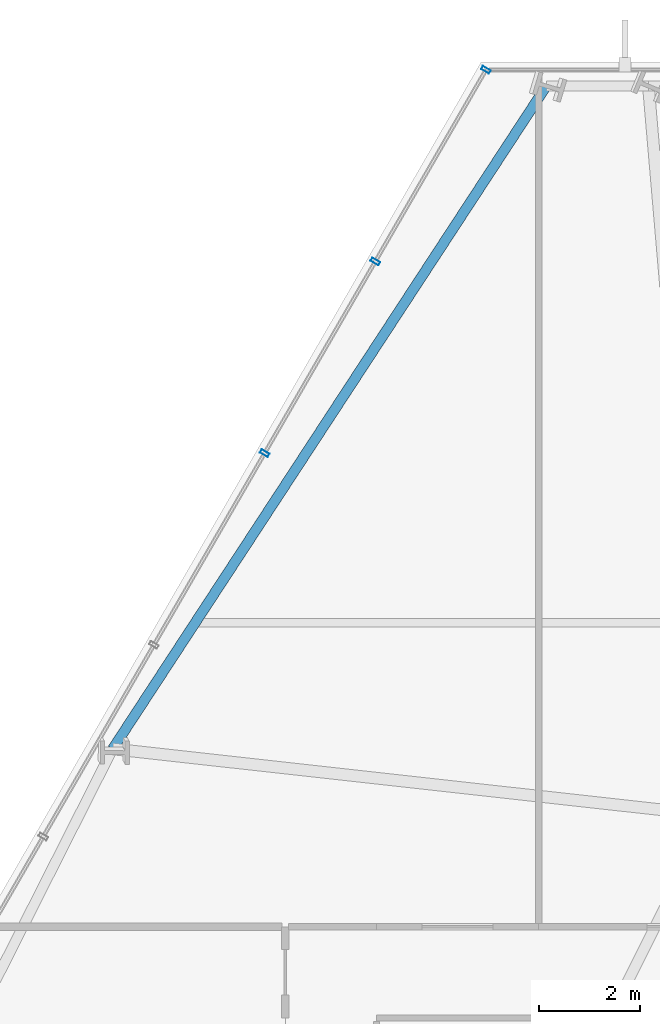
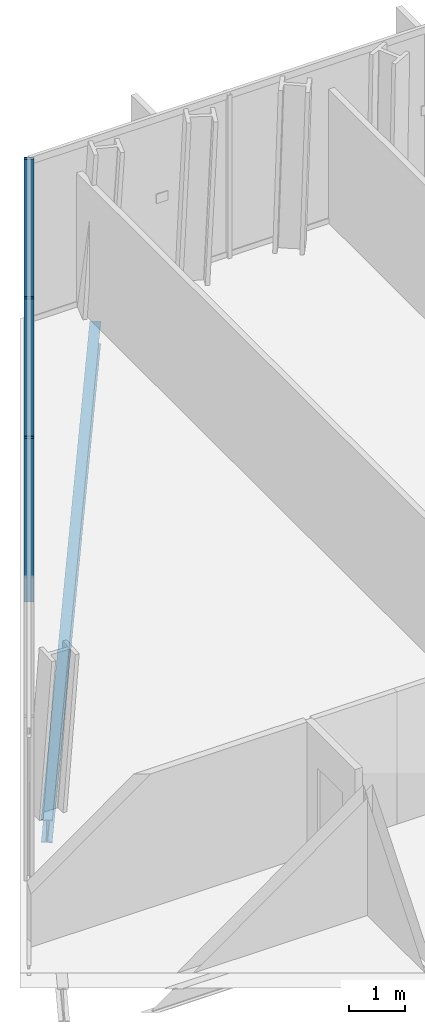
# One storey, part 20 of 33: 3 members, 1 beam, 1 element without a shape of its own.
"""IFC4 building model written with IfcOpenShell, lengths in metres."""

from ifc_helpers import new_model, si_unit, direction, frame, origin, origin_2d, place, context, subcontext, project, spatial, hollow_rectangle, i_section, extrude, material, layer, layer_set, material_profile, profile_set, type_object, element, aggregate, save


model = new_model("IFC4")

# Units and contexts
model_context = context("Model", 3, precision=1e-05, world=origin(), true_north=direction((0.0, 1.0)))
body_context = subcontext(model_context, "Body", "Model", "MODEL_VIEW")
ifc_project = project(units=[si_unit("LENGTHUNIT", "METRE"), si_unit("AREAUNIT", "SQUARE_METRE"), si_unit("VOLUMEUNIT", "CUBIC_METRE"), si_unit("PLANEANGLEUNIT", "RADIAN"), si_unit("MASSUNIT", "GRAM", prefix="KILO")], contexts=[model_context])

# Site, building, storey
site_placement = place(None, origin())
site = spatial("IfcSite", under=ifc_project, at=site_placement, CompositionType="ELEMENT")
building_placement = place(site_placement, origin())
building = spatial("IfcBuilding", under=site, at=building_placement, Name="Ndaravel Arena Tower", CompositionType="ELEMENT")
storey_placement = place(building_placement, frame((0.0, 0.0, 43.60009765625)))
storey = spatial("IfcBuildingStorey", under=building, at=storey_placement, Name="L08", CompositionType="ELEMENT", Elevation=43.60009765625)

# Beam
ifc_material_1 = material(Name="Steel S355", Category="steel")
ifc_material_profile_1 = material_profile(ifc_material_1, i_section(OverallWidth=0.199951171875, OverallDepth=0.5, WebThickness=0.01025390625, FlangeThickness=0.01611328125, FilletRadius=0.02099609375, at=origin_2d()), Name="IPE 500")
ifc_profile_set_1 = profile_set([ifc_material_profile_1], Name="Steel S355")
beam_type = type_object("IfcBeamType", Name="BM-SPAN-IPE500", PredefinedType="SPANDREL", material=ifc_profile_set_1)
beam_placement = place(storey_placement, frame((34.95263671875, 45.590087890625, -0.47021484375), z_axis=(-0.547517816718, -0.83679402506, 0.0), x_axis=(0.83679402506, -0.547517816718, 0.0)))
element("IfcBeam", 1, at=beam_placement, inside=storey, type_object=beam_type, Name="L08 Perimeter Spandrel Beam SP-18", PredefinedType="SPANDREL", context=body_context, shape_type="SweptSolid", body=[
    extrude(i_section(OverallWidth=0.199951171875, OverallDepth=0.5, WebThickness=0.01025390625, FlangeThickness=0.01611328125, FilletRadius=0.02099609375, at=origin_2d()), origin(), (0.0, 0.0, 1.0), 15.631103515625),
])

# Curtain wall, members
ifc_material_2 = material(Name="Aluminium", Category="aluminium")
ifc_layer = layer(ifc_material_2, 0.179931640625)
ifc_layer_set = layer_set([ifc_layer], Name="Aluminium")
curtain_wall_type = type_object("IfcCurtainWallType", Name="CW-SYS-03", PredefinedType="NOTDEFINED", material=ifc_layer_set)
curtain_wall_placement = place(storey_placement, origin())
curtain_wall = element("IfcCurtainWall", 2, at=curtain_wall_placement, inside=storey, type_object=curtain_wall_type, Name="L08 Faceted Crystal Curtain Wall CW-L08-E05", PredefinedType="NOTDEFINED")
ifc_material_3 = material(Name="Aluminium", Category="aluminium")
ifc_material_profile_2 = material_profile(ifc_material_3, hollow_rectangle(XDim=0.074951171875, YDim=0.179931640625, WallThickness=0.00390625, at=origin_2d()), Name="CW MULLION 75x180x4")
ifc_profile_set_2 = profile_set([ifc_material_profile_2], Name="Aluminium")
member_type = type_object("IfcMemberType", Name="MEM-CW-MUL180", PredefinedType="MULLION", material=ifc_profile_set_2)
member_1_placement = place(storey_placement, frame((33.76123046875, 45.909912109375, 0.0), z_axis=(0.0, 0.0, 1.0), x_axis=(-0.5, -0.866025403784, 0.0)))
member_1 = element("IfcMember", 3, at=member_1_placement, type_object=member_type, Name="CW-L08-E05 Mullion 00", PredefinedType="MULLION", context=body_context, shape_type="SweptSolid", body=[
    extrude(hollow_rectangle(XDim=0.074951171875, YDim=0.179931640625, WallThickness=0.00390625, at=origin_2d()), origin(), (0.0, 0.0, 1.0), 3.579833984375),
])
member_2_placement = place(storey_placement, frame((31.5771484375, 42.127197265625, 0.0), z_axis=(0.0, 0.0, 1.0), x_axis=(-0.5, -0.866025403784, 0.0)))
member_2 = element("IfcMember", 4, at=member_2_placement, type_object=member_type, Name="CW-L08-E05 Mullion 01", PredefinedType="MULLION", context=body_context, shape_type="SweptSolid", body=[
    extrude(hollow_rectangle(XDim=0.074951171875, YDim=0.179931640625, WallThickness=0.00390625, at=origin_2d()), origin(), (0.0, 0.0, 1.0), 3.579833984375),
])
member_3_placement = place(storey_placement, frame((29.39306640625, 38.34423828125, 0.0), z_axis=(0.0, 0.0, 1.0), x_axis=(-0.5, -0.866025403784, 0.0)))
member_3 = element("IfcMember", 5, at=member_3_placement, type_object=member_type, Name="CW-L08-E05 Mullion 02", PredefinedType="MULLION", context=body_context, shape_type="SweptSolid", body=[
    extrude(hollow_rectangle(XDim=0.074951171875, YDim=0.179931640625, WallThickness=0.00390625, at=origin_2d()), origin(), (0.0, 0.0, 1.0), 3.579833984375),
])
aggregate(curtain_wall, [member_1, member_2, member_3])

save(model, "model.ifc")
